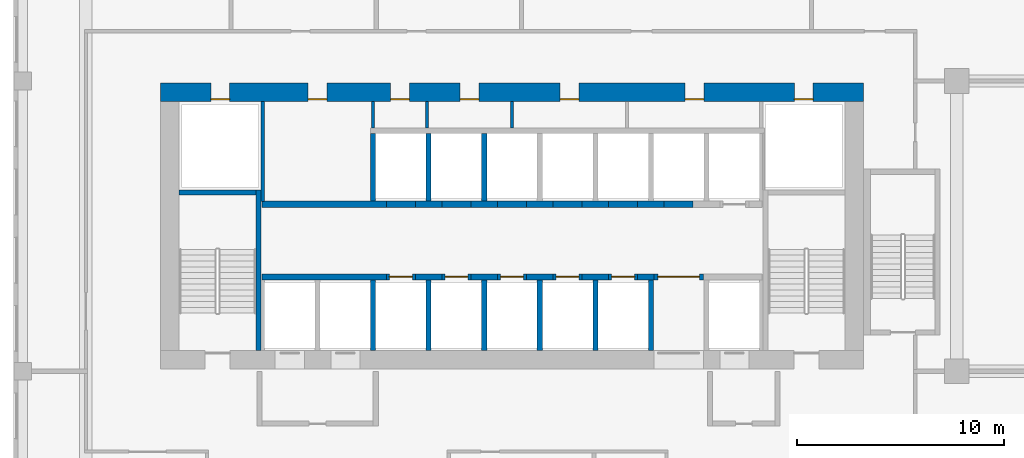
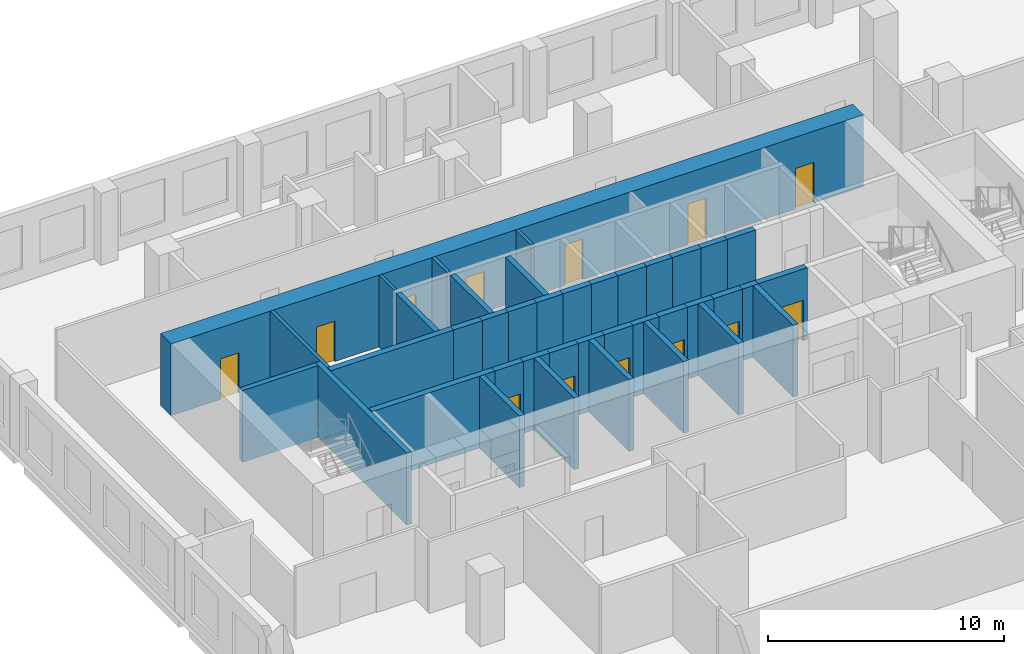
# One storey, part 15 of 26: 40 walls, 13 doors, 13 openings.
"""IFC4 building model written with IfcOpenShell, lengths in metres."""

from ifc_helpers import new_model, si_unit, direction, frame, frame_2d, origin, place, context, subcontext, project, spatial, rectangle, extrude, source, transform, mapped, material, layer, layer_set, type_object, element, fill, save


model = new_model("IFC4")

# Units and contexts
model_context = context("Model", 3, precision=1e-05, world=origin(), true_north=direction((0.0, 1.0)))
body_context = subcontext(model_context, "Body", "Model", "MODEL_VIEW")
ifc_project = project(units=[si_unit("LENGTHUNIT", "METRE"), si_unit("AREAUNIT", "SQUARE_METRE"), si_unit("VOLUMEUNIT", "CUBIC_METRE"), si_unit("PLANEANGLEUNIT", "RADIAN"), si_unit("MASSUNIT", "GRAM", prefix="KILO")], contexts=[model_context])

# Site, building, storey
site_placement = place(None, origin())
site = spatial("IfcSite", under=ifc_project, at=site_placement, CompositionType="ELEMENT")
building_placement = place(site_placement, origin())
building = spatial("IfcBuilding", under=site, at=building_placement, Name="Kilnfold Tower and Market Hall", CompositionType="ELEMENT")
storey_placement = place(building_placement, frame((0.0, 0.0, 104.60009765625)))
storey = spatial("IfcBuildingStorey", under=building, at=storey_placement, Name="L24", CompositionType="ELEMENT", Elevation=104.60009765625)

# Walls
ifc_material_1 = material(Name="Concrete C70", Category="concrete")
ifc_layer_1 = layer(ifc_material_1, 0.25)
ifc_layer_set_1 = layer_set([ifc_layer_1], Name="Concrete C70")
wall_type_1 = type_object("IfcWallType", Name="CORE WALL 250 C70", PredefinedType="SHEAR", material=ifc_layer_set_1)
shared_shape_1 = source(origin(), body_context, "Body", "SweptSolid", [
    extrude(rectangle(XDim=7.75, YDim=0.25, at=frame_2d((3.875, 0.0))), origin(), (0.0, 0.0, 1.0), 3.719970703125),
])
wall_1_placement = place(storey_placement, frame((-11.175048828125, 9.0, 0.0), z_axis=(0.0, 0.0, 1.0), x_axis=(0.0, 1.0, 0.0)))
element("IfcWall", 1, at=wall_1_placement, inside=storey, type_object=wall_type_1, Name="Stair enclosure ST1", PredefinedType="SHEAR", context=body_context, shape_type="MappedRepresentation", body=[
    mapped(shared_shape_1, transform((0.0, 0.0, 0.0))),
])
shared_shape_2 = source(origin(), body_context, "Body", "SweptSolid", [
    extrude(rectangle(XDim=3.699951171875, YDim=0.25, at=frame_2d((1.85009765625, 0.0))), origin(), (0.0, 0.0, 1.0), 3.719970703125),
])
wall_2_placement = place(storey_placement, frame((-15.0, 16.625, 0.0), z_axis=(0.0, 0.0, 1.0), x_axis=(1.0, 0.0, 0.0)))
element("IfcWall", 2, at=wall_2_placement, inside=storey, type_object=wall_type_1, Name="Stair enclosure ST1", PredefinedType="SHEAR", context=body_context, shape_type="MappedRepresentation", body=[
    mapped(shared_shape_2, transform((0.0, 0.0, 0.0))),
])
ifc_material_2 = material(Name="Concrete C70", Category="concrete")
ifc_layer_2 = layer(ifc_material_2, 0.300048828125)
ifc_layer_set_2 = layer_set([ifc_layer_2], Name="Concrete C70")
wall_type_2 = type_object("IfcWallType", Name="CORE WALL 300 C70", PredefinedType="SHEAR", material=ifc_layer_set_2)
shared_shape_3 = source(origin(), body_context, "Body", "SweptSolid", [
    extrude(rectangle(XDim=6.0, YDim=0.300048828125, at=frame_2d((3.0, 0.0))), origin(), (0.0, 0.0, 1.0), 3.719970703125),
])
for number, where, z_axis, x_axis, name in (
    (3, (-11.010009765625, 12.550048828125, 0.0), (0.0, 0.0, 1.0), (1.0, 0.0, 0.0), "Core spine wall"),
    (4, (-11.010009765625, 16.050048828125, 0.0), (0.0, 0.0, 1.0), (1.0, 0.0, 0.0), "Core spine wall"),
):
    element("IfcWall", number, at=place(storey_placement, frame(where, z_axis=z_axis, x_axis=x_axis)), inside=storey, type_object=wall_type_2, Name=name, PredefinedType="SHEAR", context=body_context, shape_type="MappedRepresentation", body=[
        mapped(shared_shape_3, transform((0.0, 0.0, 0.0))),
    ])
shared_shape_4 = source(origin(), body_context, "Body", "SweptSolid", [
    extrude(rectangle(XDim=1.280029296875, YDim=0.300048828125, at=frame_2d((0.64013671875, 0.0))), origin(), (0.0, 0.0, 1.0), 3.719970703125),
])
for number, where, z_axis, x_axis, name in (
    (5, (-3.610107421875, 12.550048828125, 0.0), (0.0, 0.0, 1.0), (1.0, 0.0, 0.0), "Core spine wall"),
    (6, (-0.929931640625, 12.550048828125, 0.0), (0.0, 0.0, 1.0), (1.0, 0.0, 0.0), "Core spine wall"),
    (7, (1.75, 12.550048828125, 0.0), (0.0, 0.0, 1.0), (1.0, 0.0, 0.0), "Core spine wall"),
    (8, (4.429931640625, 12.550048828125, 0.0), (0.0, 0.0, 1.0), (1.0, 0.0, 0.0), "Core spine wall"),
    (9, (-3.610107421875, 16.050048828125, 0.0), (0.0, 0.0, 1.0), (1.0, 0.0, 0.0), "Core spine wall"),
    (10, (-0.929931640625, 16.050048828125, 0.0), (0.0, 0.0, 1.0), (1.0, 0.0, 0.0), "Core spine wall"),
    (11, (1.75, 16.050048828125, 0.0), (0.0, 0.0, 1.0), (1.0, 0.0, 0.0), "Core spine wall"),
    (12, (4.429931640625, 16.050048828125, 0.0), (0.0, 0.0, 1.0), (1.0, 0.0, 0.0), "Core spine wall"),
):
    element("IfcWall", number, at=place(storey_placement, frame(where, z_axis=z_axis, x_axis=x_axis)), inside=storey, type_object=wall_type_2, Name=name, PredefinedType="SHEAR", context=body_context, shape_type="MappedRepresentation", body=[
        mapped(shared_shape_4, transform((0.0, 0.0, 0.0))),
    ])
shared_shape_5 = source(origin(), body_context, "Body", "SweptSolid", [
    extrude(rectangle(XDim=0.77978515625, YDim=0.300048828125, at=frame_2d((0.389892578125, 0.0))), origin(), (0.0, 0.0, 1.0), 3.719970703125),
])
wall_3_placement = place(storey_placement, frame((7.110107421875, 12.550048828125, 0.0), z_axis=(0.0, 0.0, 1.0), x_axis=(1.0, 0.0, 0.0)))
element("IfcWall", 13, at=wall_3_placement, inside=storey, type_object=wall_type_2, Name="Core spine wall", PredefinedType="SHEAR", context=body_context, shape_type="MappedRepresentation", body=[
    mapped(shared_shape_5, transform((0.0, 0.0, 0.0))),
])
shared_shape_6 = source(origin(), body_context, "Body", "SweptSolid", [
    extrude(rectangle(XDim=1.27978515625, YDim=0.300048828125, at=frame_2d((0.639892578125, 0.0))), origin(), (0.0, 0.0, 1.0), 3.719970703125),
])
wall_4_placement = place(storey_placement, frame((7.110107421875, 16.050048828125, 0.0), z_axis=(0.0, 0.0, 1.0), x_axis=(1.0, 0.0, 0.0)))
element("IfcWall", 14, at=wall_4_placement, inside=storey, type_object=wall_type_2, Name="Core spine wall", PredefinedType="SHEAR", context=body_context, shape_type="MappedRepresentation", body=[
    mapped(shared_shape_6, transform((0.0, 0.0, 0.0))),
])

# Wall, openings, doors
ifc_material_3 = material(Name="Concrete C70", Category="concrete")
ifc_layer_3 = layer(ifc_material_3, 0.89990234375)
ifc_layer_set_3 = layer_set([ifc_layer_3], Name="Concrete C70")
wall_type_3 = type_object("IfcWallType", Name="CORE WALL 900 C70", PredefinedType="SHEAR", material=ifc_layer_set_3)
shared_shape_7 = source(origin(), body_context, "Body", "SweptSolid", [
    extrude(rectangle(XDim=33.89990234375, YDim=0.89990234375, at=frame_2d((16.949951171875, 0.0))), origin(), (0.0, 0.0, 1.0), 3.719970703125),
])
wall_5_placement = place(storey_placement, frame((-15.89990234375, 21.449951171875, 0.0), z_axis=(0.0, 0.0, 1.0), x_axis=(1.0, 0.0, 0.0)))
wall_5 = element("IfcWall", 15, at=wall_5_placement, inside=storey, type_object=wall_type_3, Name="Core outer wall north", PredefinedType="SHEAR", context=body_context, shape_type="MappedRepresentation", body=[
    mapped(shared_shape_7, transform((0.0, 0.0, 0.0))),
])
opening_1_placement = place(wall_5_placement, frame((7.1201171875, 0.0, 0.0)))
opening_1 = element("IfcOpeningElement", 16, at=opening_1_placement, cuts=wall_5, Name="Opening KD1", PredefinedType="OPENING", context=body_context, shape_type="SweptSolid", body=[
    extrude(rectangle(XDim=0.89990234375, YDim=2.10009765625, at=frame_2d((0.449951171875, 1.050048828125))), frame((0.0, 0.4599609375, 0.0), z_axis=(0.0, -1.0, 0.0), x_axis=(1.0, 0.0, 0.0)), (0.0, 0.0, 1.0), 0.919921875),
])
opening_2_placement = place(wall_5_placement, frame((11.099853515625, 0.0, 0.0)))
opening_2 = element("IfcOpeningElement", 17, at=opening_2_placement, cuts=wall_5, Name="Opening KD1", PredefinedType="OPENING", context=body_context, shape_type="SweptSolid", body=[
    extrude(rectangle(XDim=0.89990234375, YDim=2.10009765625, at=frame_2d((0.449951171875, 1.050048828125))), frame((0.0, 0.4599609375, 0.0), z_axis=(0.0, -1.0, 0.0), x_axis=(1.0, 0.0, 0.0)), (0.0, 0.0, 1.0), 0.919921875),
])
opening_3_placement = place(wall_5_placement, frame((14.44970703125, 0.0, 0.0)))
opening_3 = element("IfcOpeningElement", 18, at=opening_3_placement, cuts=wall_5, Name="Opening KD1", PredefinedType="OPENING", context=body_context, shape_type="SweptSolid", body=[
    extrude(rectangle(XDim=0.89990234375, YDim=2.10009765625, at=frame_2d((0.449951171875, 1.050048828125))), frame((0.0, 0.4599609375, 0.0), z_axis=(0.0, -1.0, 0.0), x_axis=(1.0, 0.0, 0.0)), (0.0, 0.0, 1.0), 0.919921875),
])
opening_4_placement = place(wall_5_placement, frame((19.273681640625, 0.0, 0.0)))
opening_4 = element("IfcOpeningElement", 19, at=opening_4_placement, cuts=wall_5, Name="Opening KD1", PredefinedType="OPENING", context=body_context, shape_type="SweptSolid", body=[
    extrude(rectangle(XDim=0.89990234375, YDim=2.10009765625, at=frame_2d((0.449951171875, 1.050048828125))), frame((0.0, 0.4599609375, 0.0), z_axis=(0.0, -1.0, 0.0), x_axis=(1.0, 0.0, 0.0)), (0.0, 0.0, 1.0), 0.919921875),
])
opening_5_placement = place(wall_5_placement, frame((25.3037109375, 0.0, 0.0)))
opening_5 = element("IfcOpeningElement", 20, at=opening_5_placement, cuts=wall_5, Name="Opening KD1", PredefinedType="OPENING", context=body_context, shape_type="SweptSolid", body=[
    extrude(rectangle(XDim=0.89990234375, YDim=2.10009765625, at=frame_2d((0.449951171875, 1.050048828125))), frame((0.0, 0.4599609375, 0.0), z_axis=(0.0, -1.0, 0.0), x_axis=(1.0, 0.0, 0.0)), (0.0, 0.0, 1.0), 0.919921875),
])
opening_6_placement = place(wall_5_placement, frame((2.425048828125, 0.0, 0.0)))
opening_6 = element("IfcOpeningElement", 21, at=opening_6_placement, cuts=wall_5, Name="Opening KD1", PredefinedType="OPENING", context=body_context, shape_type="SweptSolid", body=[
    extrude(rectangle(XDim=0.89990234375, YDim=2.10009765625, at=frame_2d((0.449951171875, 1.050048828125))), frame((0.0, 0.4599609375, 0.0), z_axis=(0.0, -1.0, 0.0), x_axis=(1.0, 0.0, 0.0)), (0.0, 0.0, 1.0), 0.919921875),
])
opening_7_placement = place(wall_5_placement, frame((30.574951171875, 0.0, 0.0)))
opening_7 = element("IfcOpeningElement", 22, at=opening_7_placement, cuts=wall_5, Name="Opening KD1", PredefinedType="OPENING", context=body_context, shape_type="SweptSolid", body=[
    extrude(rectangle(XDim=0.89990234375, YDim=2.10009765625, at=frame_2d((0.449951171875, 1.050048828125))), frame((0.0, 0.4599609375, 0.0), z_axis=(0.0, -1.0, 0.0), x_axis=(1.0, 0.0, 0.0)), (0.0, 0.0, 1.0), 0.919921875),
])
ifc_material_4 = material(Name="Steel door set with fire-resisting leaf", Category="steel")
door_type_1 = type_object("IfcDoorType", Name="SERVICE DOOR 900X2100", OperationType="NOTDEFINED", PredefinedType="DOOR", material=ifc_material_4)
door_1_placement = place(opening_1_placement, origin())
door_1 = element("IfcDoor", 23, at=door_1_placement, inside=storey, type_object=door_type_1, Name="Core service door", OperationType="SINGLE_SWING_RIGHT", OverallHeight=2.10009765625, OverallWidth=0.89990234375, PredefinedType="DOOR", context=body_context, shape_type="SweptSolid", body=[
    extrude(rectangle(XDim=0.89990234375, YDim=2.10009765625, at=frame_2d((0.449951171875, 1.050048828125))), frame((0.0, -0.30517578125, 0.0), z_axis=(0.0, -1.0, 0.0), x_axis=(1.0, 0.0, 0.0)), (0.0, 0.0, 1.0), 0.050048828125),
])
fill(opening_1, door_1)
door_2_placement = place(opening_2_placement, origin())
door_2 = element("IfcDoor", 24, at=door_2_placement, inside=storey, type_object=door_type_1, Name="Core service door", OperationType="SINGLE_SWING_LEFT", OverallHeight=2.10009765625, OverallWidth=0.89990234375, PredefinedType="DOOR", context=body_context, shape_type="SweptSolid", body=[
    extrude(rectangle(XDim=0.89990234375, YDim=2.10009765625, at=frame_2d((0.449951171875, 1.050048828125))), frame((0.0, -0.30517578125, 0.0), z_axis=(0.0, -1.0, 0.0), x_axis=(1.0, 0.0, 0.0)), (0.0, 0.0, 1.0), 0.050048828125),
])
fill(opening_2, door_2)
door_3_placement = place(opening_3_placement, origin())
door_3 = element("IfcDoor", 25, at=door_3_placement, inside=storey, type_object=door_type_1, Name="Core service door", OperationType="SINGLE_SWING_RIGHT", OverallHeight=2.10009765625, OverallWidth=0.89990234375, PredefinedType="DOOR", context=body_context, shape_type="SweptSolid", body=[
    extrude(rectangle(XDim=0.89990234375, YDim=2.10009765625, at=frame_2d((0.449951171875, 1.050048828125))), frame((0.0, -0.30517578125, 0.0), z_axis=(0.0, -1.0, 0.0), x_axis=(1.0, 0.0, 0.0)), (0.0, 0.0, 1.0), 0.050048828125),
])
fill(opening_3, door_3)
door_4_placement = place(opening_4_placement, origin())
door_4 = element("IfcDoor", 26, at=door_4_placement, inside=storey, type_object=door_type_1, Name="Core service door", OperationType="SINGLE_SWING_LEFT", OverallHeight=2.10009765625, OverallWidth=0.89990234375, PredefinedType="DOOR", context=body_context, shape_type="SweptSolid", body=[
    extrude(rectangle(XDim=0.89990234375, YDim=2.10009765625, at=frame_2d((0.449951171875, 1.050048828125))), frame((0.0, -0.30517578125, 0.0), z_axis=(0.0, -1.0, 0.0), x_axis=(1.0, 0.0, 0.0)), (0.0, 0.0, 1.0), 0.050048828125),
])
fill(opening_4, door_4)
door_5_placement = place(opening_5_placement, origin())
door_5 = element("IfcDoor", 27, at=door_5_placement, inside=storey, type_object=door_type_1, Name="Core service door", OperationType="SINGLE_SWING_RIGHT", OverallHeight=2.10009765625, OverallWidth=0.89990234375, PredefinedType="DOOR", context=body_context, shape_type="SweptSolid", body=[
    extrude(rectangle(XDim=0.89990234375, YDim=2.10009765625, at=frame_2d((0.449951171875, 1.050048828125))), frame((0.0, -0.30517578125, 0.0), z_axis=(0.0, -1.0, 0.0), x_axis=(1.0, 0.0, 0.0)), (0.0, 0.0, 1.0), 0.050048828125),
])
fill(opening_5, door_5)
door_6_placement = place(opening_6_placement, origin())
door_6 = element("IfcDoor", 28, at=door_6_placement, inside=storey, type_object=door_type_1, Name="Electrical riser access door", OperationType="SINGLE_SWING_LEFT", OverallHeight=2.10009765625, OverallWidth=0.89990234375, PredefinedType="DOOR", context=body_context, shape_type="SweptSolid", body=[
    extrude(rectangle(XDim=0.89990234375, YDim=2.10009765625, at=frame_2d((0.449951171875, 1.050048828125))), frame((0.0, -0.30517578125, 0.0), z_axis=(0.0, -1.0, 0.0), x_axis=(1.0, 0.0, 0.0)), (0.0, 0.0, 1.0), 0.050048828125),
])
fill(opening_6, door_6)
door_7_placement = place(opening_7_placement, origin())
door_7 = element("IfcDoor", 29, at=door_7_placement, inside=storey, type_object=door_type_1, Name="Mechanical riser access door", OperationType="SINGLE_SWING_RIGHT", OverallHeight=2.10009765625, OverallWidth=0.89990234375, PredefinedType="DOOR", context=body_context, shape_type="SweptSolid", body=[
    extrude(rectangle(XDim=0.89990234375, YDim=2.10009765625, at=frame_2d((0.449951171875, 1.050048828125))), frame((0.0, -0.30517578125, 0.0), z_axis=(0.0, -1.0, 0.0), x_axis=(1.0, 0.0, 0.0)), (0.0, 0.0, 1.0), 0.050048828125),
])
fill(opening_7, door_7)

# Wall, opening, door
ifc_material_5 = material(Name="Gypsum shaft wall system")
ifc_layer_4 = layer(ifc_material_5, 0.300048828125)
ifc_layer_set_4 = layer_set([ifc_layer_4], Name="Gypsum shaft wall system")
wall_type_4 = type_object("IfcWallType", Name="SHAFT WALL 300", PredefinedType="PARTITIONING", material=ifc_layer_set_4)
shared_shape_8 = source(origin(), body_context, "Body", "SweptSolid", [
    extrude(rectangle(XDim=1.39990234375, YDim=0.300048828125, at=frame_2d((0.699951171875, 0.0))), origin(), (0.0, 0.0, 1.0), 3.719970703125),
])
wall_6_placement = place(storey_placement, frame((-5.010009765625, 12.550048828125, 0.0), z_axis=(0.0, 0.0, 1.0), x_axis=(1.0, 0.0, 0.0)))
wall_6 = element("IfcWall", 30, at=wall_6_placement, inside=storey, type_object=wall_type_4, Name="Lift shaft front wall", PredefinedType="PARTITIONING", context=body_context, shape_type="MappedRepresentation", body=[
    mapped(shared_shape_8, transform((0.0, 0.0, 0.0))),
])
opening_8_placement = place(wall_6_placement, frame((0.14990234375, 0.0, 0.0)))
opening_8 = element("IfcOpeningElement", 31, at=opening_8_placement, cuts=wall_6, Name="Opening LD2", PredefinedType="OPENING", context=body_context, shape_type="SweptSolid", body=[
    extrude(rectangle(XDim=1.10009765625, YDim=2.10009765625, at=frame_2d((0.550048828125, 1.050048828125))), frame((0.0, 0.16015625, 0.0), z_axis=(0.0, -1.0, 0.0), x_axis=(1.0, 0.0, 0.0)), (0.0, 0.0, 1.0), 0.320068359375),
])
ifc_material_6 = material(Name="Steel door set with fire-resisting leaf", Category="steel")
door_type_2 = type_object("IfcDoorType", Name="LANDING DOOR 1100X2100", OperationType="NOTDEFINED", PredefinedType="DOOR", material=ifc_material_6)
door_8_placement = place(opening_8_placement, origin())
door_8 = element("IfcDoor", 32, at=door_8_placement, inside=storey, type_object=door_type_2, Name="Landing door LR1", OperationType="DOUBLE_DOOR_SLIDING", OverallHeight=2.10009765625, OverallWidth=1.10009765625, PredefinedType="DOOR", context=body_context, shape_type="SweptSolid", body=[
    extrude(rectangle(XDim=1.10009765625, YDim=2.10009765625, at=frame_2d((0.550048828125, 1.050048828125))), frame((0.0, 0.02490234375, 0.0), z_axis=(0.0, -1.0, 0.0), x_axis=(1.0, 0.0, 0.0)), (0.0, 0.0, 1.0), 0.050048828125),
])
fill(opening_8, door_8)

wall_7_placement = place(storey_placement, frame((0.35009765625, 12.550048828125, 0.0), z_axis=(0.0, 0.0, 1.0), x_axis=(1.0, 0.0, 0.0)))
wall_7 = element("IfcWall", 33, at=wall_7_placement, inside=storey, type_object=wall_type_4, Name="Lift shaft front wall", PredefinedType="PARTITIONING", context=body_context, shape_type="MappedRepresentation", body=[
    mapped(shared_shape_8, transform((0.0, 0.0, 0.0))),
])
opening_9_placement = place(wall_7_placement, frame((0.14990234375, 0.0, 0.0)))
opening_9 = element("IfcOpeningElement", 34, at=opening_9_placement, cuts=wall_7, Name="Opening LD2", PredefinedType="OPENING", context=body_context, shape_type="SweptSolid", body=[
    extrude(rectangle(XDim=1.10009765625, YDim=2.10009765625, at=frame_2d((0.550048828125, 1.050048828125))), frame((0.0, 0.16015625, 0.0), z_axis=(0.0, -1.0, 0.0), x_axis=(1.0, 0.0, 0.0)), (0.0, 0.0, 1.0), 0.320068359375),
])
door_9_placement = place(opening_9_placement, origin())
door_9 = element("IfcDoor", 35, at=door_9_placement, inside=storey, type_object=door_type_2, Name="Landing door LR3", OperationType="DOUBLE_DOOR_SLIDING", OverallHeight=2.10009765625, OverallWidth=1.10009765625, PredefinedType="DOOR", context=body_context, shape_type="SweptSolid", body=[
    extrude(rectangle(XDim=1.10009765625, YDim=2.10009765625, at=frame_2d((0.550048828125, 1.050048828125))), frame((0.0, 0.02490234375, 0.0), z_axis=(0.0, -1.0, 0.0), x_axis=(1.0, 0.0, 0.0)), (0.0, 0.0, 1.0), 0.050048828125),
])
fill(opening_9, door_9)

wall_8_placement = place(storey_placement, frame((3.030029296875, 12.550048828125, 0.0), z_axis=(0.0, 0.0, 1.0), x_axis=(1.0, 0.0, 0.0)))
wall_8 = element("IfcWall", 36, at=wall_8_placement, inside=storey, type_object=wall_type_4, Name="Lift shaft front wall", PredefinedType="PARTITIONING", context=body_context, shape_type="MappedRepresentation", body=[
    mapped(shared_shape_8, transform((0.0, 0.0, 0.0))),
])
opening_10_placement = place(wall_8_placement, frame((0.14990234375, 0.0, 0.0)))
opening_10 = element("IfcOpeningElement", 37, at=opening_10_placement, cuts=wall_8, Name="Opening LD2", PredefinedType="OPENING", context=body_context, shape_type="SweptSolid", body=[
    extrude(rectangle(XDim=1.10009765625, YDim=2.10009765625, at=frame_2d((0.550048828125, 1.050048828125))), frame((0.0, 0.16015625, 0.0), z_axis=(0.0, -1.0, 0.0), x_axis=(1.0, 0.0, 0.0)), (0.0, 0.0, 1.0), 0.320068359375),
])
door_10_placement = place(opening_10_placement, origin())
door_10 = element("IfcDoor", 38, at=door_10_placement, inside=storey, type_object=door_type_2, Name="Landing door LR4", OperationType="DOUBLE_DOOR_SLIDING", OverallHeight=2.10009765625, OverallWidth=1.10009765625, PredefinedType="DOOR", context=body_context, shape_type="SweptSolid", body=[
    extrude(rectangle(XDim=1.10009765625, YDim=2.10009765625, at=frame_2d((0.550048828125, 1.050048828125))), frame((0.0, 0.02490234375, 0.0), z_axis=(0.0, -1.0, 0.0), x_axis=(1.0, 0.0, 0.0)), (0.0, 0.0, 1.0), 0.050048828125),
])
fill(opening_10, door_10)

# Walls
for number, where, z_axis, x_axis, name in (
    (39, (-5.010009765625, 16.050048828125, 0.0), (0.0, 0.0, 1.0), (1.0, 0.0, 0.0), "Lift shaft front wall"),
    (40, (0.35009765625, 16.050048828125, 0.0), (0.0, 0.0, 1.0), (1.0, 0.0, 0.0), "Lift shaft front wall"),
    (41, (3.030029296875, 16.050048828125, 0.0), (0.0, 0.0, 1.0), (1.0, 0.0, 0.0), "Lift shaft front wall"),
):
    element("IfcWall", number, at=place(storey_placement, frame(where, z_axis=z_axis, x_axis=x_axis)), inside=storey, type_object=wall_type_4, Name=name, PredefinedType="PARTITIONING", context=body_context, shape_type="MappedRepresentation", body=[
        mapped(shared_shape_8, transform((0.0, 0.0, 0.0))),
    ])

# Wall, opening, door
shared_shape_9 = source(origin(), body_context, "Body", "SweptSolid", [
    extrude(rectangle(XDim=1.400146484375, YDim=0.300048828125, at=frame_2d((0.7001953125, 0.0))), origin(), (0.0, 0.0, 1.0), 3.719970703125),
])
wall_9_placement = place(storey_placement, frame((-2.330078125, 12.550048828125, 0.0), z_axis=(0.0, 0.0, 1.0), x_axis=(1.0, 0.0, 0.0)))
wall_9 = element("IfcWall", 42, at=wall_9_placement, inside=storey, type_object=wall_type_4, Name="Lift shaft front wall", PredefinedType="PARTITIONING", context=body_context, shape_type="MappedRepresentation", body=[
    mapped(shared_shape_9, transform((0.0, 0.0, 0.0))),
])
opening_11_placement = place(wall_9_placement, frame((0.14990234375, 0.0, 0.0)))
opening_11 = element("IfcOpeningElement", 43, at=opening_11_placement, cuts=wall_9, Name="Opening LD2", PredefinedType="OPENING", context=body_context, shape_type="SweptSolid", body=[
    extrude(rectangle(XDim=1.10009765625, YDim=2.10009765625, at=frame_2d((0.550048828125, 1.050048828125))), frame((0.0, 0.16015625, 0.0), z_axis=(0.0, -1.0, 0.0), x_axis=(1.0, 0.0, 0.0)), (0.0, 0.0, 1.0), 0.320068359375),
])
door_11_placement = place(opening_11_placement, origin())
door_11 = element("IfcDoor", 44, at=door_11_placement, inside=storey, type_object=door_type_2, Name="Landing door LR2", OperationType="DOUBLE_DOOR_SLIDING", OverallHeight=2.10009765625, OverallWidth=1.10009765625, PredefinedType="DOOR", context=body_context, shape_type="SweptSolid", body=[
    extrude(rectangle(XDim=1.10009765625, YDim=2.10009765625, at=frame_2d((0.550048828125, 1.050048828125))), frame((0.0, 0.02490234375, 0.0), z_axis=(0.0, -1.0, 0.0), x_axis=(1.0, 0.0, 0.0)), (0.0, 0.0, 1.0), 0.050048828125),
])
fill(opening_11, door_11)

wall_10_placement = place(storey_placement, frame((5.7099609375, 12.550048828125, 0.0), z_axis=(0.0, 0.0, 1.0), x_axis=(1.0, 0.0, 0.0)))
wall_10 = element("IfcWall", 45, at=wall_10_placement, inside=storey, type_object=wall_type_4, Name="Lift shaft front wall", PredefinedType="PARTITIONING", context=body_context, shape_type="MappedRepresentation", body=[
    mapped(shared_shape_9, transform((0.0, 0.0, 0.0))),
])
opening_12_placement = place(wall_10_placement, frame((0.14990234375, 0.0, 0.0)))
opening_12 = element("IfcOpeningElement", 46, at=opening_12_placement, cuts=wall_10, Name="Opening LD2", PredefinedType="OPENING", context=body_context, shape_type="SweptSolid", body=[
    extrude(rectangle(XDim=1.10009765625, YDim=2.10009765625, at=frame_2d((0.550048828125, 1.050048828125))), frame((0.0, 0.16015625, 0.0), z_axis=(0.0, -1.0, 0.0), x_axis=(1.0, 0.0, 0.0)), (0.0, 0.0, 1.0), 0.320068359375),
])
door_12_placement = place(opening_12_placement, origin())
door_12 = element("IfcDoor", 47, at=door_12_placement, inside=storey, type_object=door_type_2, Name="Landing door LR5", OperationType="DOUBLE_DOOR_SLIDING", OverallHeight=2.10009765625, OverallWidth=1.10009765625, PredefinedType="DOOR", context=body_context, shape_type="SweptSolid", body=[
    extrude(rectangle(XDim=1.10009765625, YDim=2.10009765625, at=frame_2d((0.550048828125, 1.050048828125))), frame((0.0, 0.02490234375, 0.0), z_axis=(0.0, -1.0, 0.0), x_axis=(1.0, 0.0, 0.0)), (0.0, 0.0, 1.0), 0.050048828125),
])
fill(opening_12, door_12)

# Walls
for number, where, z_axis, x_axis, name in (
    (48, (-2.330078125, 16.050048828125, 0.0), (0.0, 0.0, 1.0), (1.0, 0.0, 0.0), "Lift shaft front wall"),
    (49, (5.7099609375, 16.050048828125, 0.0), (0.0, 0.0, 1.0), (1.0, 0.0, 0.0), "Lift shaft front wall"),
    (50, (8.389892578125, 16.050048828125, 0.0), (0.0, 0.0, 1.0), (1.0, 0.0, 0.0), "Lift shaft front wall"),
):
    element("IfcWall", number, at=place(storey_placement, frame(where, z_axis=z_axis, x_axis=x_axis)), inside=storey, type_object=wall_type_4, Name=name, PredefinedType="PARTITIONING", context=body_context, shape_type="MappedRepresentation", body=[
        mapped(shared_shape_9, transform((0.0, 0.0, 0.0))),
    ])

# Wall, opening, door
shared_shape_10 = source(origin(), body_context, "Body", "SweptSolid", [
    extrude(rectangle(XDim=2.400146484375, YDim=0.300048828125, at=frame_2d((1.2001953125, 0.0))), origin(), (0.0, 0.0, 1.0), 3.719970703125),
])
wall_11_placement = place(storey_placement, frame((7.889892578125, 12.550048828125, 0.0), z_axis=(0.0, 0.0, 1.0), x_axis=(1.0, 0.0, 0.0)))
wall_11 = element("IfcWall", 51, at=wall_11_placement, inside=storey, type_object=wall_type_4, Name="Lift shaft front wall", PredefinedType="PARTITIONING", context=body_context, shape_type="MappedRepresentation", body=[
    mapped(shared_shape_10, transform((0.0, 0.0, 0.0))),
])
opening_13_placement = place(wall_11_placement, frame((0.199951171875, 0.0, 0.0)))
opening_13 = element("IfcOpeningElement", 52, at=opening_13_placement, cuts=wall_11, Name="Opening VD2", PredefinedType="OPENING", context=body_context, shape_type="SweptSolid", body=[
    extrude(rectangle(XDim=2.0, YDim=2.10009765625, at=frame_2d((1.0, 1.050048828125))), frame((0.0, 0.16015625, 0.0), z_axis=(0.0, -1.0, 0.0), x_axis=(1.0, 0.0, 0.0)), (0.0, 0.0, 1.0), 0.320068359375),
])
ifc_material_7 = material(Name="Steel door set with fire-resisting leaf", Category="steel")
door_type_3 = type_object("IfcDoorType", Name="LIFT LOBBY ENTRANCE DOOR 2000X2100", OperationType="NOTDEFINED", PredefinedType="DOOR", material=ifc_material_7)
door_13_placement = place(opening_13_placement, origin())
door_13 = element("IfcDoor", 53, at=door_13_placement, inside=storey, type_object=door_type_3, Name="Lift lobby entrance door", OperationType="DOUBLE_DOOR_SINGLE_SWING", OverallHeight=2.10009765625, OverallWidth=2.0, PredefinedType="DOOR", context=body_context, shape_type="SweptSolid", body=[
    extrude(rectangle(XDim=2.0, YDim=2.10009765625, at=frame_2d((1.0, 1.050048828125))), frame((0.0, 0.02490234375, 0.0), z_axis=(0.0, -1.0, 0.0), x_axis=(1.0, 0.0, 0.0)), (0.0, 0.0, 1.0), 0.050048828125),
])
fill(opening_13, door_13)

# Walls
ifc_material_8 = material(Name="Gypsum shaft wall system")
ifc_layer_5 = layer(ifc_material_8, 0.25)
ifc_layer_set_5 = layer_set([ifc_layer_5], Name="Gypsum shaft wall system")
wall_type_5 = type_object("IfcWallType", Name="SHAFT WALL 250", PredefinedType="PARTITIONING", material=ifc_layer_set_5)
shared_shape_11 = source(origin(), body_context, "Body", "SweptSolid", [
    extrude(rectangle(XDim=3.275146484375, YDim=0.25, at=frame_2d((1.6376953125, 0.0))), origin(), (0.0, 0.0, 1.0), 3.719970703125),
])
for number, where, z_axis, x_axis, name in (
    (54, (-0.2900390625, 16.199951171875, 0.0), (0.0, 0.0, 1.0), (0.0, 1.0, 0.0), "Lift shaft wall"),
    (55, (-2.969970703125, 16.199951171875, 0.0), (0.0, 0.0, 1.0), (0.0, 1.0, 0.0), "Lift shaft wall"),
    (56, (-5.64990234375, 16.199951171875, 0.0), (0.0, 0.0, 1.0), (0.0, 1.0, 0.0), "Lift shaft wall"),
):
    element("IfcWall", number, at=place(storey_placement, frame(where, z_axis=z_axis, x_axis=x_axis)), inside=storey, type_object=wall_type_5, Name=name, PredefinedType="PARTITIONING", context=body_context, shape_type="MappedRepresentation", body=[
        mapped(shared_shape_11, transform((0.0, 0.0, 0.0))),
    ])
shared_shape_12 = source(origin(), body_context, "Body", "SweptSolid", [
    extrude(rectangle(XDim=3.39990234375, YDim=0.25, at=frame_2d((1.699951171875, 0.0))), origin(), (0.0, 0.0, 1.0), 3.719970703125),
])
for number, where, z_axis, x_axis, name in (
    (57, (2.389892578125, 9.0, 0.0), (0.0, 0.0, 1.0), (0.0, 1.0, 0.0), "Lift shaft wall"),
    (58, (5.070068359375, 9.0, 0.0), (0.0, 0.0, 1.0), (0.0, 1.0, 0.0), "Lift shaft wall"),
    (59, (7.75, 9.0, 0.0), (0.0, 0.0, 1.0), (0.0, 1.0, 0.0), "Lift shaft wall"),
    (60, (-0.2900390625, 9.0, 0.0), (0.0, 0.0, 1.0), (0.0, 1.0, 0.0), "Lift shaft wall"),
    (61, (-2.969970703125, 9.0, 0.0), (0.0, 0.0, 1.0), (0.0, 1.0, 0.0), "Lift shaft wall"),
    (62, (-5.64990234375, 9.0, 0.0), (0.0, 0.0, 1.0), (0.0, 1.0, 0.0), "Lift shaft wall"),
):
    element("IfcWall", number, at=place(storey_placement, frame(where, z_axis=z_axis, x_axis=x_axis)), inside=storey, type_object=wall_type_5, Name=name, PredefinedType="PARTITIONING", context=body_context, shape_type="MappedRepresentation", body=[
        mapped(shared_shape_12, transform((0.0, 0.0, 0.0))),
    ])
ifc_material_9 = material(Name="Gypsum shaft wall system")
ifc_layer_6 = layer(ifc_material_9, 0.14990234375)
ifc_layer_set_6 = layer_set([ifc_layer_6], Name="Gypsum shaft wall system")
wall_type_6 = type_object("IfcWallType", Name="ROOM WALL 150", PredefinedType="PARTITIONING", material=ifc_layer_set_6)
shared_shape_13 = source(origin(), body_context, "Body", "SweptSolid", [
    extrude(rectangle(XDim=1.27490234375, YDim=0.14990234375, at=frame_2d((0.637451171875, 0.0))), origin(), (0.0, 0.0, 1.0), 3.719970703125),
])
for number, where, z_axis, x_axis, name in (
    (63, (-5.64990234375, 19.72509765625, 0.0), (0.0, 0.0, 1.0), (0.0, 1.0, 0.0), "Core room wall"),
    (64, (-3.05029296875, 19.72509765625, 0.0), (0.0, 0.0, 1.0), (0.0, 1.0, 0.0), "Core room wall"),
    (65, (1.050048828125, 19.72509765625, 0.0), (0.0, 0.0, 1.0), (0.0, 1.0, 0.0), "Core room wall"),
):
    element("IfcWall", number, at=place(storey_placement, frame(where, z_axis=z_axis, x_axis=x_axis)), inside=storey, type_object=wall_type_6, Name=name, PredefinedType="PARTITIONING", context=body_context, shape_type="MappedRepresentation", body=[
        mapped(shared_shape_13, transform((0.0, 0.0, 0.0))),
    ])
ifc_material_10 = material(Name="Gypsum shaft wall system")
ifc_layer_7 = layer(ifc_material_10, 0.1650390625)
ifc_layer_set_7 = layer_set([ifc_layer_7], Name="Gypsum shaft wall system")
wall_type_7 = type_object("IfcWallType", Name="SHAFT WALL 165", PredefinedType="PARTITIONING", material=ifc_layer_set_7)
shared_shape_14 = source(origin(), body_context, "Body", "SweptSolid", [
    extrude(rectangle(XDim=4.800048828125, YDim=0.1650390625, at=frame_2d((2.39990234375, 0.0))), origin(), (0.0, 0.0, 1.0), 3.719970703125),
])
wall_12_placement = place(storey_placement, frame((-10.967529296875, 16.199951171875, 0.0), z_axis=(0.0, 0.0, 1.0), x_axis=(0.0, 1.0, 0.0)))
element("IfcWall", 66, at=wall_12_placement, inside=storey, type_object=wall_type_7, Name="Lift shaft wall", PredefinedType="PARTITIONING", context=body_context, shape_type="MappedRepresentation", body=[
    mapped(shared_shape_14, transform((0.0, 0.0, 0.0))),
])

save(model, "model.ifc")
